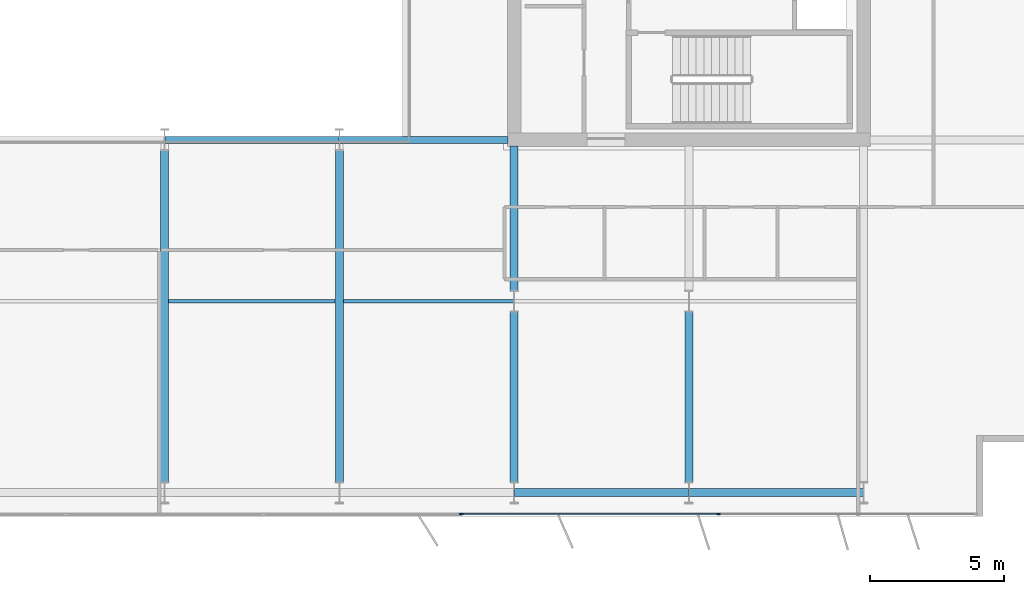
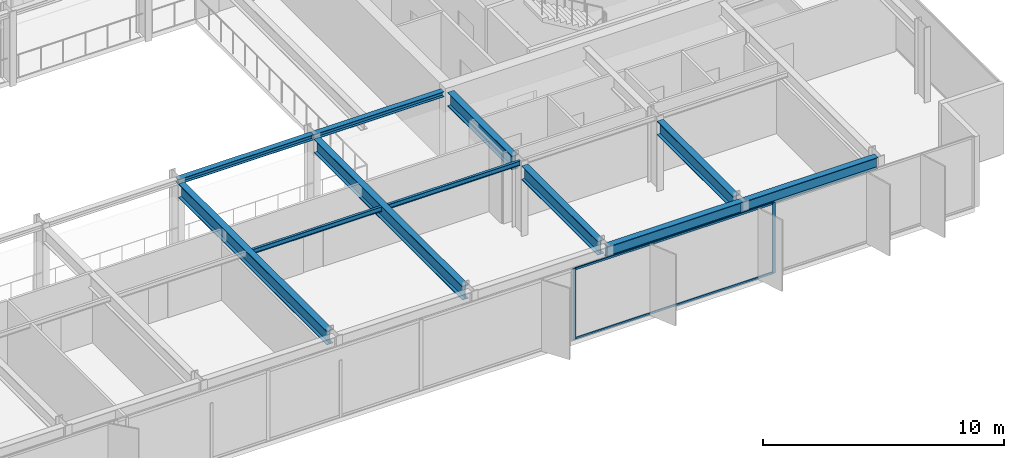
# One storey, part 7 of 23: 11 beams, 4 members, 1 element without a shape of its own.
"""IFC4 building model written with IfcOpenShell, lengths in metres."""

from ifc_helpers import new_model, si_unit, direction, frame, origin, origin_2d, place, context, subcontext, project, spatial, rectangle, i_section, extrude, material, layer, layer_set, material_profile, profile_set, type_object, element, aggregate, save


model = new_model("IFC4")

# Units and contexts
model_context = context("Model", 3, precision=1e-05, world=origin(), true_north=direction((0.0, 1.0)))
body_context = subcontext(model_context, "Body", "Model", "MODEL_VIEW")
ifc_project = project(units=[si_unit("LENGTHUNIT", "METRE"), si_unit("AREAUNIT", "SQUARE_METRE"), si_unit("VOLUMEUNIT", "CUBIC_METRE"), si_unit("PLANEANGLEUNIT", "RADIAN"), si_unit("MASSUNIT", "GRAM", prefix="KILO")], contexts=[model_context])

# Site, building, storey
site_placement = place(None, origin())
site = spatial("IfcSite", under=ifc_project, at=site_placement, CompositionType="ELEMENT")
building_placement = place(site_placement, origin())
building = spatial("IfcBuilding", under=site, at=building_placement, Name="Putna Gate Headquarters", CompositionType="ELEMENT")
storey_placement = place(building_placement, frame((0.0, 0.0, 213.800048828125)))
storey = spatial("IfcBuildingStorey", under=building, at=storey_placement, Name="L53", CompositionType="ELEMENT", Elevation=213.800048828125)

# Beams
ifc_material_1 = material(Name="Steel S355J2", Category="steel")
ifc_material_profile_1 = material_profile(ifc_material_1, i_section(OverallWidth=0.260009765625, OverallDepth=0.260009765625, WebThickness=0.010009765625, FlangeThickness=0.017578125, at=origin_2d()), Name="Steel S355J2")
ifc_profile_set_1 = profile_set([ifc_material_profile_1], Name="Steel S355J2")
beam_type_1 = type_object("IfcBeamType", Name="BM-ATRIUM-HEB260", PredefinedType="BEAM", material=ifc_profile_set_1)
beam_1_placement = place(storey_placement, frame((39.006103515625, 19.0, 3.449951171875), z_axis=(1.0, 0.0, 0.0), x_axis=(0.0, 1.0, 0.0)))
element("IfcBeam", 1, at=beam_1_placement, inside=storey, type_object=beam_type_1, Name="L53 Atrium Edge Beam AS3", PredefinedType="BEAM", context=body_context, shape_type="SweptSolid", body=[
    extrude(i_section(OverallWidth=0.260009765625, OverallDepth=0.260009765625, WebThickness=0.010009765625, FlangeThickness=0.017578125, at=origin_2d()), origin(), (0.0, 0.0, 1.0), 6.48779296875),
])
beam_2_placement = place(storey_placement, frame((45.506103515625, 19.0, 3.449951171875), z_axis=(1.0, 0.0, 0.0), x_axis=(0.0, 1.0, 0.0)))
element("IfcBeam", 2, at=beam_2_placement, inside=storey, type_object=beam_type_1, Name="L53 Atrium Edge Beam AS4", PredefinedType="BEAM", context=body_context, shape_type="SweptSolid", body=[
    extrude(i_section(OverallWidth=0.260009765625, OverallDepth=0.260009765625, WebThickness=0.010009765625, FlangeThickness=0.017578125, at=origin_2d()), origin(), (0.0, 0.0, 1.0), 6.2587890625),
])
ifc_material_profile_2 = material_profile(ifc_material_1, i_section(OverallWidth=0.300048828125, OverallDepth=0.699951171875, WebThickness=0.01708984375, FlangeThickness=0.031982421875, at=origin_2d()), Name="Steel S355J2")
ifc_profile_set_2 = profile_set([ifc_material_profile_2], Name="Steel S355J2")
beam_type_2 = type_object("IfcBeamType", Name="BM-GIRD-B-HEB700", PredefinedType="USERDEFINED", material=ifc_profile_set_2)
for number, where, z_axis, x_axis, name in (
    (3, (39.0, 6.27490234375, 3.22998046875), (0.0, 1.0, 0.0), (-1.0, 0.0, 0.0), "L53 South Primary Girder X39"),
    (4, (45.5, 6.27490234375, 3.22998046875), (0.0, 1.0, 0.0), (-1.0, 0.0, 0.0), "L53 South Primary Girder X45"),
):
    element("IfcBeam", number, at=place(storey_placement, frame(where, z_axis=z_axis, x_axis=x_axis)), inside=storey, type_object=beam_type_2, Name=name, ObjectType="GIRDER", PredefinedType="USERDEFINED", context=body_context, shape_type="SweptSolid", body=[
        extrude(i_section(OverallWidth=0.300048828125, OverallDepth=0.699951171875, WebThickness=0.01708984375, FlangeThickness=0.031982421875, at=origin_2d()), origin(), (0.0, 0.0, 1.0), 12.330078125),
    ])
beam_3_placement = place(storey_placement, frame((52.0, 6.27490234375, 3.22998046875), z_axis=(0.0, 1.0, 0.0), x_axis=(-1.0, 0.0, 0.0)))
element("IfcBeam", 5, at=beam_3_placement, inside=storey, type_object=beam_type_2, Name="L53 South Primary Girder X52-1", ObjectType="GIRDER", PredefinedType="USERDEFINED", context=body_context, shape_type="SweptSolid", body=[
    extrude(i_section(OverallWidth=0.300048828125, OverallDepth=0.699951171875, WebThickness=0.01708984375, FlangeThickness=0.031982421875, at=origin_2d()), origin(), (0.0, 0.0, 1.0), 6.330078125),
])
beam_4_placement = place(storey_placement, frame((52.0, 13.39501953125, 3.22998046875), z_axis=(0.0, 1.0, 0.0), x_axis=(-1.0, 0.0, 0.0)))
element("IfcBeam", 6, at=beam_4_placement, inside=storey, type_object=beam_type_2, Name="L53 South Primary Girder X52-2", ObjectType="GIRDER", PredefinedType="USERDEFINED", context=body_context, shape_type="SweptSolid", body=[
    extrude(i_section(OverallWidth=0.300048828125, OverallDepth=0.699951171875, WebThickness=0.01708984375, FlangeThickness=0.031982421875, at=origin_2d()), origin(), (0.0, 0.0, 1.0), 5.369873046875),
])
beam_5_placement = place(storey_placement, frame((58.5, 6.27490234375, 3.22998046875), z_axis=(0.0, 1.0, 0.0), x_axis=(-1.0, 0.0, 0.0)))
element("IfcBeam", 7, at=beam_5_placement, inside=storey, type_object=beam_type_2, Name="L53 South Primary Girder X58-1", ObjectType="GIRDER", PredefinedType="USERDEFINED", context=body_context, shape_type="SweptSolid", body=[
    extrude(i_section(OverallWidth=0.300048828125, OverallDepth=0.699951171875, WebThickness=0.01708984375, FlangeThickness=0.031982421875, at=origin_2d()), origin(), (0.0, 0.0, 1.0), 6.330078125),
])
ifc_material_profile_3 = material_profile(ifc_material_1, i_section(OverallWidth=0.1201171875, OverallDepth=0.239990234375, WebThickness=0.006103515625, FlangeThickness=0.009765625, at=origin_2d()), Name="Steel S355J2")
ifc_profile_set_3 = profile_set([ifc_material_profile_3], Name="Steel S355J2")
beam_type_3 = type_object("IfcBeamType", Name="BM-SEC-Z4-IPE240", PredefinedType="JOIST", material=ifc_profile_set_3)
beam_6_placement = place(storey_placement, frame((39.154052734375, 13.0, 3.4599609375), z_axis=(1.0, 0.0, 0.0), x_axis=(0.0, 1.0, 0.0)))
element("IfcBeam", 8, at=beam_6_placement, inside=storey, type_object=beam_type_3, Name="L53 South Secondary Beam 5", PredefinedType="JOIST", context=body_context, shape_type="SweptSolid", body=[
    extrude(i_section(OverallWidth=0.1201171875, OverallDepth=0.239990234375, WebThickness=0.006103515625, FlangeThickness=0.009765625, at=origin_2d()), origin(), (0.0, 0.0, 1.0), 6.19189453125),
])
beam_7_placement = place(storey_placement, frame((45.654052734375, 13.0, 3.4599609375), z_axis=(1.0, 0.0, 0.0), x_axis=(0.0, 1.0, 0.0)))
element("IfcBeam", 9, at=beam_7_placement, inside=storey, type_object=beam_type_3, Name="L53 South Secondary Beam 6", PredefinedType="JOIST", context=body_context, shape_type="SweptSolid", body=[
    extrude(i_section(OverallWidth=0.1201171875, OverallDepth=0.239990234375, WebThickness=0.006103515625, FlangeThickness=0.009765625, at=origin_2d()), origin(), (0.0, 0.0, 1.0), 6.33984375),
])
ifc_material_profile_4 = material_profile(ifc_material_1, i_section(OverallWidth=0.300048828125, OverallDepth=0.590087890625, WebThickness=0.012939453125, FlangeThickness=0.02490234375, at=origin_2d()), Name="Steel S355J2")
ifc_profile_set_4 = profile_set([ifc_material_profile_4], Name="Steel S355J2")
beam_type_4 = type_object("IfcBeamType", Name="BM-SPAN-Z4-HEA600", PredefinedType="SPANDREL", material=ifc_profile_set_4)
for number, where, z_axis, x_axis, name in (
    (10, (52.006103515625, 5.8798828125, 3.284912109375), (1.0, 0.0, 0.0), (0.0, 1.0, 0.0), "L53 S Perimeter Spandrel 7"),
    (11, (58.506103515625, 5.8798828125, 3.284912109375), (1.0, 0.0, 0.0), (0.0, 1.0, 0.0), "L53 S Perimeter Spandrel 8"),
):
    element("IfcBeam", number, at=place(storey_placement, frame(where, z_axis=z_axis, x_axis=x_axis)), inside=storey, type_object=beam_type_4, Name=name, PredefinedType="SPANDREL", context=body_context, shape_type="SweptSolid", body=[
        extrude(i_section(OverallWidth=0.300048828125, OverallDepth=0.590087890625, WebThickness=0.012939453125, FlangeThickness=0.02490234375, at=origin_2d()), origin(), (0.0, 0.0, 1.0), 6.48779296875),
    ])

# Curtain wall, members
ifc_material_2 = material(Name="Anodised bronze aluminium curtain wall", Category="aluminium")
ifc_layer = layer(ifc_material_2, 0.139892578125)
ifc_layer_set = layer_set([ifc_layer], Name="Anodised bronze aluminium curtain wall")
curtain_wall_type = type_object("IfcCurtainWallType", Name="CW-SYS-Z4", PredefinedType="USERDEFINED", material=ifc_layer_set)
curtain_wall_placement = place(storey_placement, origin())
curtain_wall = element("IfcCurtainWall", 12, at=curtain_wall_placement, inside=storey, type_object=curtain_wall_type, Name="L53 South East Curtain Wall", ObjectType="STICK CURTAIN WALL", PredefinedType="USERDEFINED")
ifc_material_3 = material(Name="Anodised bronze aluminium EN AW-6060", Category="aluminium")
ifc_material_profile_5 = material_profile(ifc_material_3, rectangle(XDim=0.06005859375, YDim=0.139892578125, at=origin_2d()), Name="Anodised bronze aluminium EN AW-6060")
ifc_profile_set_5 = profile_set([ifc_material_profile_5], Name="Anodised bronze aluminium EN AW-6060")
member_type_1 = type_object("IfcMemberType", Name="MULL-CWM-4", PredefinedType="MULLION", material=ifc_profile_set_5)
member_1_placement = place(storey_placement, frame((50.030029296875, 5.080078125, 0.0), z_axis=(0.0, 0.0, 1.0), x_axis=(0.0, 1.0, 0.0)))
member_1 = element("IfcMember", 13, at=member_1_placement, type_object=member_type_1, Name="CWS-4 mullion 1", PredefinedType="MULLION", context=body_context, shape_type="SweptSolid", body=[
    extrude(rectangle(XDim=0.06005859375, YDim=0.139892578125, at=origin_2d()), origin(), (0.0, 0.0, 1.0), 3.579833984375),
])
member_2_placement = place(storey_placement, frame((59.60009765625, 5.080078125, 0.0), z_axis=(0.0, 0.0, 1.0), x_axis=(0.0, 1.0, 0.0)))
member_2 = element("IfcMember", 14, at=member_2_placement, type_object=member_type_1, Name="CWS-4 mullion 2", PredefinedType="MULLION", context=body_context, shape_type="SweptSolid", body=[
    extrude(rectangle(XDim=0.06005859375, YDim=0.139892578125, at=origin_2d()), origin(), (0.0, 0.0, 1.0), 3.579833984375),
])
ifc_material_profile_6 = material_profile(ifc_material_3, rectangle(XDim=0.06005859375, YDim=0.10009765625, at=origin_2d()), Name="Anodised bronze aluminium EN AW-6060")
ifc_profile_set_6 = profile_set([ifc_material_profile_6], Name="Anodised bronze aluminium EN AW-6060")
member_type_2 = type_object("IfcMemberType", Name="TRAN-CWT-4", PredefinedType="USERDEFINED", material=ifc_profile_set_6)
member_3_placement = place(storey_placement, frame((50.06005859375, 5.080078125, 0.030029296875), z_axis=(1.0, 0.0, 0.0), x_axis=(0.0, 1.0, 0.0)))
member_3 = element("IfcMember", 15, at=member_3_placement, type_object=member_type_2, Name="CWS-4 transom 1.1", ObjectType="TRANSOM", PredefinedType="USERDEFINED", context=body_context, shape_type="SweptSolid", body=[
    extrude(rectangle(XDim=0.06005859375, YDim=0.10009765625, at=origin_2d()), origin(), (0.0, 0.0, 1.0), 9.510009765625),
])
member_4_placement = place(storey_placement, frame((50.06005859375, 5.080078125, 3.550048828125), z_axis=(1.0, 0.0, 0.0), x_axis=(0.0, 1.0, 0.0)))
member_4 = element("IfcMember", 16, at=member_4_placement, type_object=member_type_2, Name="CWS-4 transom 1.2", ObjectType="TRANSOM", PredefinedType="USERDEFINED", context=body_context, shape_type="SweptSolid", body=[
    extrude(rectangle(XDim=0.06005859375, YDim=0.10009765625, at=origin_2d()), origin(), (0.0, 0.0, 1.0), 9.510009765625),
])
aggregate(curtain_wall, [member_1, member_2, member_3, member_4])

save(model, "model.ifc")
